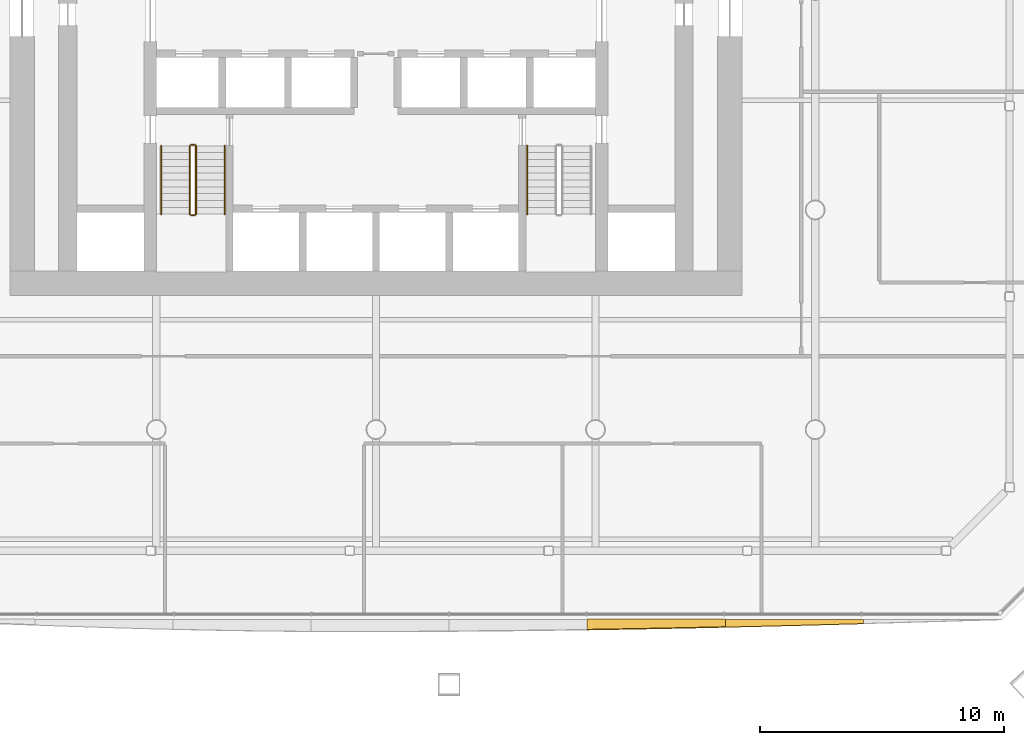
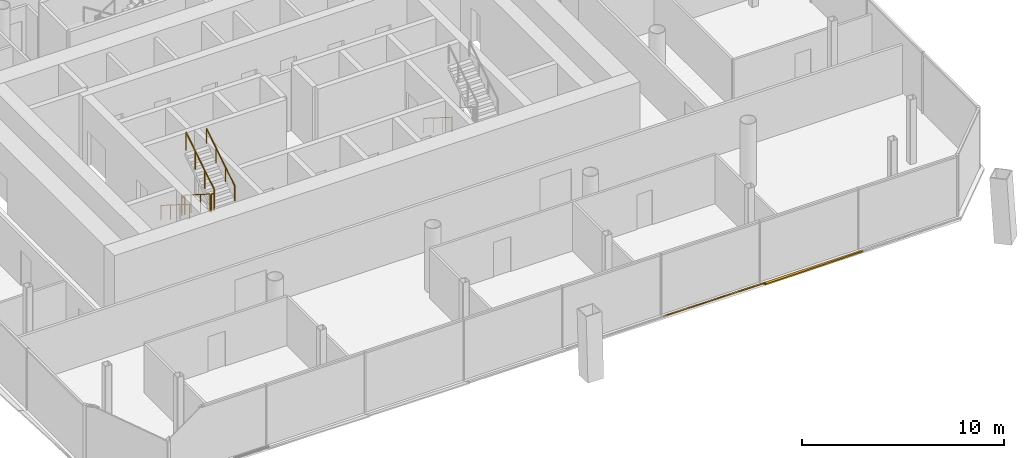
# One storey, part 17 of 20: 7 railings, 2 shading devices.
"""IFC4 building model written with IfcOpenShell, lengths in metres."""

from ifc_helpers import new_model, si_unit, direction, frame, origin, origin_2d, place, context, subcontext, project, spatial, polyline, circle, outline, extrude, material, layer, layer_set, type_object, element, save


model = new_model("IFC4")

# Units and contexts
model_context = context("Model", 3, precision=1e-05, world=origin(), true_north=direction((0.0, 1.0)))
body_context = subcontext(model_context, "Body", "Model", "MODEL_VIEW")
ifc_project = project(units=[si_unit("LENGTHUNIT", "METRE"), si_unit("AREAUNIT", "SQUARE_METRE"), si_unit("VOLUMEUNIT", "CUBIC_METRE"), si_unit("PLANEANGLEUNIT", "RADIAN"), si_unit("MASSUNIT", "GRAM", prefix="KILO")], contexts=[model_context])

# Site, building, storey
site_placement = place(None, origin())
site = spatial("IfcSite", under=ifc_project, at=site_placement, CompositionType="ELEMENT")
building_placement = place(site_placement, origin())
building = spatial("IfcBuilding", under=site, at=building_placement, Name="Tskaro Facet Tower", CompositionType="ELEMENT")
storey_placement = place(building_placement, frame((0.0, 0.0, 66.0)))
storey = spatial("IfcBuildingStorey", under=building, at=storey_placement, Name="L15", CompositionType="ELEMENT", Elevation=66.0)

# Shading devices
ifc_material_1 = material(Name="Bronze anodised aluminium 6063-T6", Category="aluminium")
ifc_layer = layer(ifc_material_1, 0.06005859375, Name="Bronze anodised aluminium 6063-T6")
ifc_layer_set = layer_set([ifc_layer], Name="Bronze anodised aluminium 6063-T6")
shading_device_type = type_object("IfcShadingDeviceType", Name="Bronze sun blade (FN1)", PredefinedType="USERDEFINED", material=ifc_layer_set)
shading_device_1_placement = place(storey_placement, frame((8.65869140625, -25.7705078125, 0.0458984375), z_axis=(2.625319e-06, 0.64293614442, 0.765919783131), x_axis=(0.999999999997, -1.687913e-06, -2.010784e-06)))
element("IfcShadingDevice", 1, at=shading_device_1_placement, inside=storey, type_object=shading_device_type, Name="Fin blade south 6", ObjectType="FIN", PredefinedType="USERDEFINED", context=body_context, shape_type="SweptSolid", body=[
    extrude(outline(polyline([(0.0, 0.0), (5.658691406230499, 0.0), (5.658691406135239, -0.3994302520016194), (4.951416015298128, -0.42021791651502494), (4.244140625109582, -0.4401606962629192), (3.5368652341756848, -0.45938553277501687), (2.8293457032653553, -0.4777654845216033), (2.122070312725589, -0.4952705262002587), (1.4147949219313862, -0.5119006578109832), (0.7075195312948359, -0.5278428714883306), (-1.4232377327788022e-10, -0.5425662161310587), (0.0, 0.0)])), origin(), (0.0, 0.0, -1.0), 0.06005859375),
])
shading_device_2_placement = place(storey_placement, frame((14.3173828125, -25.78857421875, 0.056396484375), z_axis=(-6.139094e-06, 0.342025758264, 0.939690577076), x_axis=(0.999999999981, 2.099728e-06, 5.768849e-06)))
element("IfcShadingDevice", 2, at=shading_device_2_placement, inside=storey, type_object=shading_device_type, Name="Fin blade south 7", ObjectType="FIN", PredefinedType="USERDEFINED", context=body_context, shape_type="SweptSolid", body=[
    extrude(outline(polyline([(0.0, 0.0), (5.658935546768362, 2.3966524272958286e-21), (5.658935547218027, -0.17254022868456054), (4.951416014919161, -0.19300221033055903), (4.244140625166329, -0.2133182777141494), (3.536865235030344, -0.23309200942575284), (2.8295898439985785, -0.25255282211016755), (2.122070311958665, -0.2714712991225954), (1.4147949210563755, -0.29016035949022473), (0.7075195316919737, -0.308161169923459), (-8.898683134470313e-11, -0.32553614230231603), (0.0, 0.0)])), origin(), (0.0, 0.0, -1.0), 0.06005859375),
])

# Railings
ifc_material_2 = material(Name="Stainless steel", Category="steel")
railing_type_1 = type_object("IfcRailingType", Name="RL-GUARD-1100", PredefinedType="GUARDRAIL", material=ifc_material_2)
railing_1_placement = place(storey_placement, frame((-7.625, -6.375, 0.17724609375)))
element("IfcRailing", 3, at=railing_1_placement, inside=storey, type_object=railing_type_1, Name="L15 ST-1 stair guard 1", PredefinedType="GUARDRAIL", context=body_context, shape_type="SweptSolid", body=[
    extrude(circle(Radius=0.02392578125, at=origin_2d()), frame((0.0, 0.0, 1.076171875), z_axis=(0.0, -0.844908973607, 0.534910110503), x_axis=(1.0, 0.0, 0.0)), (0.0, 0.0, 1.0), 3.31396484375),
    extrude(circle(Radius=0.02099609375, at=origin_2d()), origin(), (0.0, 0.0, 1.0), 1.052001953125),
    extrude(circle(Radius=0.02099609375, at=origin_2d()), frame((0.0, -0.933349609375, 0.5908203125)), (0.0, 0.0, 1.0), 1.052001953125),
    extrude(circle(Radius=0.02099609375, at=origin_2d()), frame((0.0, -1.86669921875, 1.181884765625)), (0.0, 0.0, 1.0), 1.052001953125),
    extrude(circle(Radius=0.02099609375, at=origin_2d()), frame((0.0, -2.800048828125, 1.772705078125)), (0.0, 0.0, 1.0), 1.052001953125),
])
railing_2_placement = place(storey_placement, frame((-7.574951171875, -9.22509765625, 1.949951171875)))
element("IfcRailing", 4, at=railing_2_placement, inside=storey, type_object=railing_type_1, Name="L15 ST-1 stair guard 2", PredefinedType="GUARDRAIL", context=body_context, shape_type="SweptSolid", body=[
    extrude(circle(Radius=0.02392578125, at=origin_2d()), frame((0.0, 0.0, 1.076171875), z_axis=(1.0, 0.0, 0.0), x_axis=(0.0, 1.0, 0.0)), (0.0, 0.0, 1.0), 0.14990234375),
    extrude(circle(Radius=0.02099609375, at=origin_2d()), origin(), (0.0, 0.0, 1.0), 1.052001953125),
    extrude(circle(Radius=0.02099609375, at=origin_2d()), frame((0.14990234375, 0.0, 0.0)), (0.0, 0.0, 1.0), 1.052001953125),
])
railing_3_placement = place(storey_placement, frame((-7.375, -9.175048828125, 2.127197265625)))
element("IfcRailing", 5, at=railing_3_placement, inside=storey, type_object=railing_type_1, Name="L15 ST-1 stair guard 3", PredefinedType="GUARDRAIL", context=body_context, shape_type="SweptSolid", body=[
    extrude(circle(Radius=0.02392578125, at=origin_2d()), frame((0.0, 0.0, 1.076171875), z_axis=(0.0, 0.844908973607, 0.534910110503), x_axis=(-1.0, 0.0, 0.0)), (0.0, 0.0, 1.0), 3.31396484375),
    extrude(circle(Radius=0.02099609375, at=origin_2d()), origin(), (0.0, 0.0, 1.0), 1.052001953125),
    extrude(circle(Radius=0.02099609375, at=origin_2d()), frame((0.0, 0.933349609375, 0.5908203125)), (0.0, 0.0, 1.0), 1.052001953125),
    extrude(circle(Radius=0.02099609375, at=origin_2d()), frame((0.0, 1.86669921875, 1.181884765625)), (0.0, 0.0, 1.0), 1.052001953125),
    extrude(circle(Radius=0.02099609375, at=origin_2d()), frame((0.0, 2.800048828125, 1.772705078125)), (0.0, 0.0, 1.0), 1.052001953125),
])
railing_4_placement = place(storey_placement, frame((-7.574951171875, -6.324951171875, 0.0)))
element("IfcRailing", 6, at=railing_4_placement, inside=storey, type_object=railing_type_1, Name="L15 ST-1 stair guard 4", PredefinedType="GUARDRAIL", context=body_context, shape_type="SweptSolid", body=[
    extrude(circle(Radius=0.02392578125, at=origin_2d()), frame((0.0, 0.0, 1.076171875), z_axis=(1.0, 0.0, 0.0), x_axis=(0.0, 1.0, 0.0)), (0.0, 0.0, 1.0), 0.14990234375),
    extrude(circle(Radius=0.02099609375, at=origin_2d()), origin(), (0.0, 0.0, 1.0), 1.052001953125),
    extrude(circle(Radius=0.02099609375, at=origin_2d()), frame((0.14990234375, 0.0, 0.0)), (0.0, 0.0, 1.0), 1.052001953125),
])
railing_type_2 = type_object("IfcRailingType", Name="RL-HANDRAIL-900", PredefinedType="HANDRAIL", material=ifc_material_2)
railing_5_placement = place(storey_placement, frame((-8.800048828125, -6.375, 0.17724609375)))
element("IfcRailing", 7, at=railing_5_placement, inside=storey, type_object=railing_type_2, Name="L15 ST-1 stair handrail 1", PredefinedType="HANDRAIL", context=body_context, shape_type="SweptSolid", body=[
    extrude(circle(Radius=0.02392578125, at=origin_2d()), frame((0.0, 0.0, 0.8759765625), z_axis=(0.0, -0.844908973607, 0.534910110503), x_axis=(1.0, 0.0, 0.0)), (0.0, 0.0, 1.0), 3.31396484375),
    extrude(circle(Radius=0.02099609375, at=origin_2d()), origin(), (0.0, 0.0, 1.0), 0.851806640625),
    extrude(circle(Radius=0.02099609375, at=origin_2d()), frame((0.0, -0.933349609375, 0.5908203125)), (0.0, 0.0, 1.0), 0.851806640625),
    extrude(circle(Radius=0.02099609375, at=origin_2d()), frame((0.0, -1.86669921875, 1.181884765625)), (0.0, 0.0, 1.0), 0.851806640625),
    extrude(circle(Radius=0.02099609375, at=origin_2d()), frame((0.0, -2.800048828125, 1.772705078125)), (0.0, 0.0, 1.0), 0.851806640625),
])
railing_6_placement = place(storey_placement, frame((-6.199951171875, -9.175048828125, 2.127197265625)))
element("IfcRailing", 8, at=railing_6_placement, inside=storey, type_object=railing_type_2, Name="L15 ST-1 stair handrail 2", PredefinedType="HANDRAIL", context=body_context, shape_type="SweptSolid", body=[
    extrude(circle(Radius=0.02392578125, at=origin_2d()), frame((0.0, 0.0, 0.8759765625), z_axis=(0.0, 0.844908973607, 0.534910110503), x_axis=(-1.0, 0.0, 0.0)), (0.0, 0.0, 1.0), 3.31396484375),
    extrude(circle(Radius=0.02099609375, at=origin_2d()), origin(), (0.0, 0.0, 1.0), 0.851806640625),
    extrude(circle(Radius=0.02099609375, at=origin_2d()), frame((0.0, 0.933349609375, 0.5908203125)), (0.0, 0.0, 1.0), 0.851806640625),
    extrude(circle(Radius=0.02099609375, at=origin_2d()), frame((0.0, 1.86669921875, 1.181884765625)), (0.0, 0.0, 1.0), 0.851806640625),
    extrude(circle(Radius=0.02099609375, at=origin_2d()), frame((0.0, 2.800048828125, 1.772705078125)), (0.0, 0.0, 1.0), 0.851806640625),
])
railing_7_placement = place(storey_placement, frame((6.199951171875, -6.375, 0.17724609375)))
element("IfcRailing", 9, at=railing_7_placement, inside=storey, type_object=railing_type_2, Name="L15 ST-2 stair handrail 1", PredefinedType="HANDRAIL", context=body_context, shape_type="SweptSolid", body=[
    extrude(circle(Radius=0.02392578125, at=origin_2d()), frame((0.0, 0.0, 0.8759765625), z_axis=(0.0, -0.844908973607, 0.534910110503), x_axis=(1.0, 0.0, 0.0)), (0.0, 0.0, 1.0), 3.31396484375),
    extrude(circle(Radius=0.02099609375, at=origin_2d()), origin(), (0.0, 0.0, 1.0), 0.851806640625),
    extrude(circle(Radius=0.02099609375, at=origin_2d()), frame((0.0, -0.933349609375, 0.5908203125)), (0.0, 0.0, 1.0), 0.851806640625),
    extrude(circle(Radius=0.02099609375, at=origin_2d()), frame((0.0, -1.86669921875, 1.181884765625)), (0.0, 0.0, 1.0), 0.851806640625),
    extrude(circle(Radius=0.02099609375, at=origin_2d()), frame((0.0, -2.800048828125, 1.772705078125)), (0.0, 0.0, 1.0), 0.851806640625),
])

save(model, "model.ifc")
